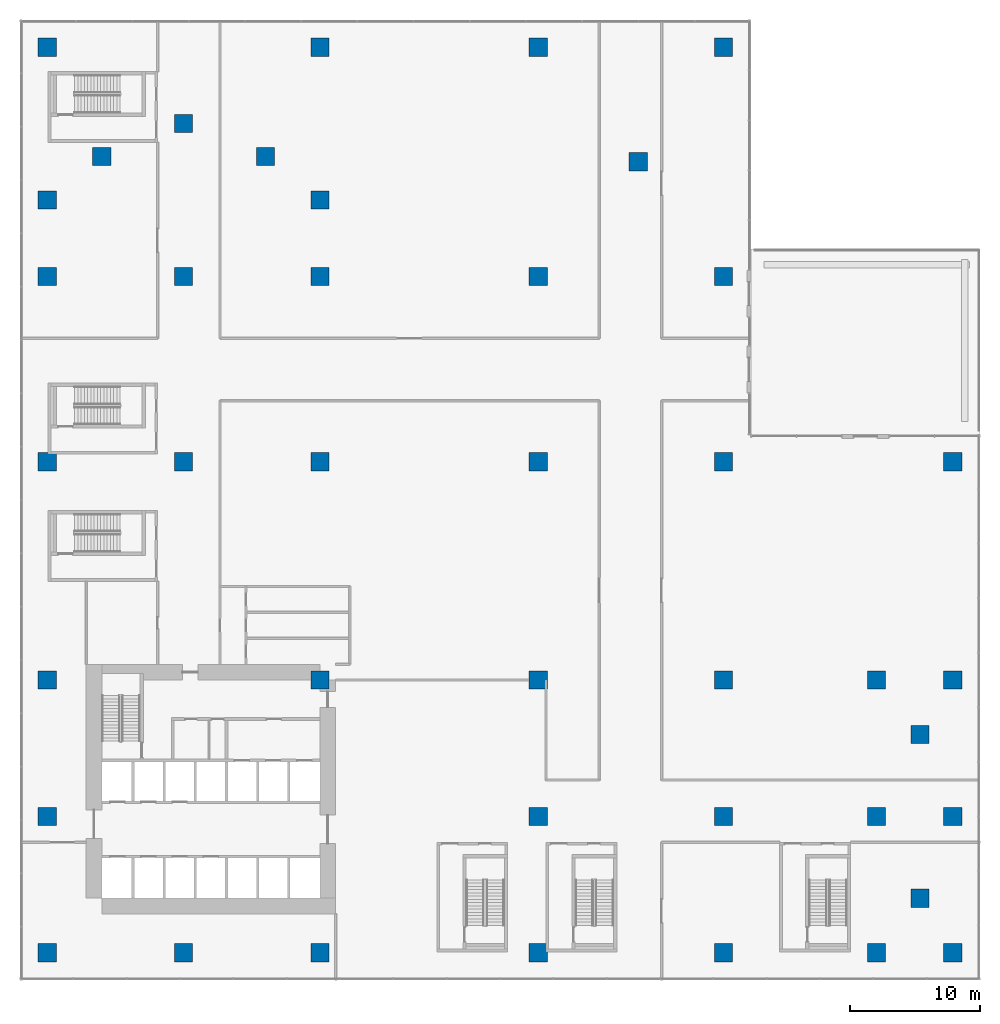
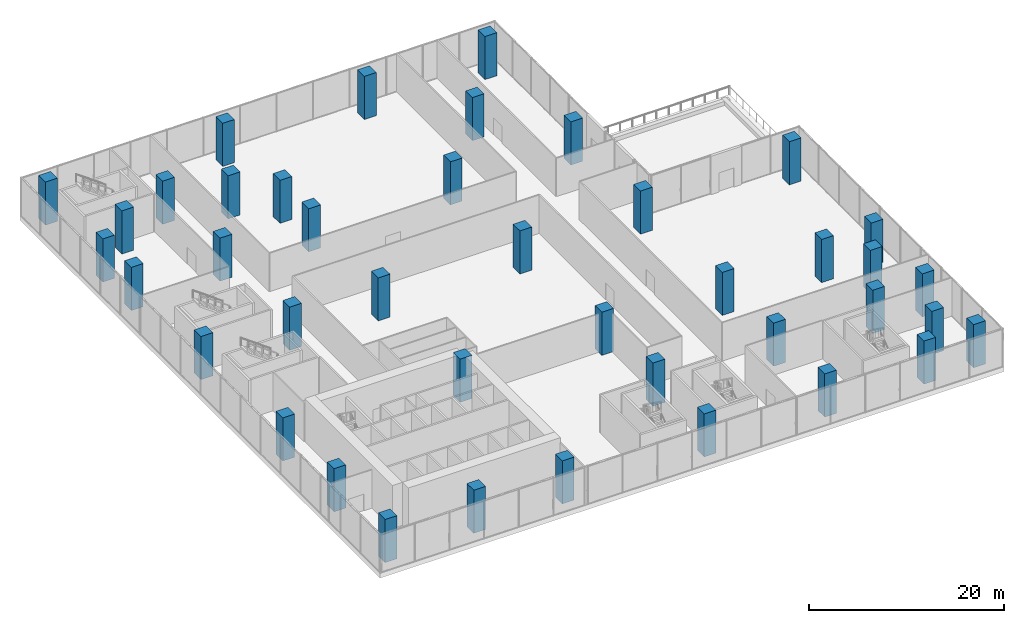
# One storey, part 1 of 23: 41 columns.
"""IFC4 building model written with IfcOpenShell, lengths in metres."""

from ifc_helpers import new_model, si_unit, direction, frame, origin, origin_2d, place, context, subcontext, project, spatial, rectangle, extrude, source, transform, mapped, material, material_profile, profile_set, type_object, element, save


model = new_model("IFC4")

# Units and contexts
model_context = context("Model", 3, precision=1e-05, world=origin(), true_north=direction((0.0, 1.0)))
body_context = subcontext(model_context, "Body", "Model", "MODEL_VIEW")
ifc_project = project(units=[si_unit("LENGTHUNIT", "METRE"), si_unit("AREAUNIT", "SQUARE_METRE"), si_unit("VOLUMEUNIT", "CUBIC_METRE"), si_unit("PLANEANGLEUNIT", "RADIAN"), si_unit("MASSUNIT", "GRAM", prefix="KILO")], contexts=[model_context])

# Site, building, storey
site_placement = place(None, origin())
site = spatial("IfcSite", under=ifc_project, at=site_placement, CompositionType="ELEMENT")
building_placement = place(site_placement, origin())
building = spatial("IfcBuilding", under=site, at=building_placement, Name="Aurelian Terraces", CompositionType="ELEMENT")
storey_placement = place(building_placement, frame((0.0, 0.0, 23.7)))
storey = spatial("IfcBuildingStorey", under=building, at=storey_placement, Name="L04", CompositionType="ELEMENT", Elevation=23.7)

# Columns
ifc_material = material(Name="Concrete fc' 83 MPa", Category="concrete")
ifc_material_profile = material_profile(ifc_material, rectangle(XDim=1.4, YDim=1.4, at=origin_2d()))
ifc_profile_set = profile_set([ifc_material_profile], Name="Concrete fc' 83 MPa")
column_type = type_object("IfcColumnType", Name="RC COLUMN 1400X1400 FC83", PredefinedType="COLUMN", material=ifc_profile_set)
shared_shape = source(origin(), body_context, "Body", "SweptSolid", [
    extrude(rectangle(XDim=1.4, YDim=1.4, at=origin_2d()), origin(), (0.0, 0.0, 1.0), 5.4),
])
for number, where, z_axis, x_axis, name in (
    (1, (0.0, 0.0, 0.0), (0.0, 0.0, 1.0), (1.0, 0.0, 0.0), "Column 1/A L04"),
    (2, (0.0, 10.5, 0.0), (0.0, 0.0, 1.0), (1.0, 0.0, 0.0), "Column 1/B L04"),
    (3, (0.0, 21.0, 0.0), (0.0, 0.0, 1.0), (1.0, 0.0, 0.0), "Column 1/C L04"),
    (4, (0.0, 37.8, 0.0), (0.0, 0.0, 1.0), (1.0, 0.0, 0.0), "Column 1/E L04"),
    (5, (0.0, 52.08, 0.0), (0.0, 0.0, 1.0), (1.0, 0.0, 0.0), "Column 1/G L04"),
    (6, (0.0, 57.96, 0.0), (0.0, 0.0, 1.0), (1.0, 0.0, 0.0), "Column 1/H L04"),
    (7, (0.0, 69.72, 0.0), (0.0, 0.0, 1.0), (1.0, 0.0, 0.0), "Column 1/J L04"),
    (8, (4.2, 61.32, 0.0), (0.0, 0.0, 1.0), (1.0, 0.0, 0.0), "Column 4.20/61.32 L04"),
    (9, (10.5, 0.0, 0.0), (0.0, 0.0, 1.0), (1.0, 0.0, 0.0), "Column 2/A L04"),
    (10, (10.5, 37.8, 0.0), (0.0, 0.0, 1.0), (1.0, 0.0, 0.0), "Column 2/E L04"),
    (11, (10.5, 52.08, 0.0), (0.0, 0.0, 1.0), (1.0, 0.0, 0.0), "Column 2/G L04"),
    (12, (10.5, 63.84, 0.0), (0.0, 0.0, 1.0), (1.0, 0.0, 0.0), "Column 2/I L04"),
    (13, (16.8, 61.32, 0.0), (0.0, 0.0, 1.0), (1.0, 0.0, 0.0), "Column 16.80/61.32 L04"),
    (14, (21.0, 0.0, 0.0), (0.0, 0.0, 1.0), (1.0, 0.0, 0.0), "Column 3/A L04"),
    (15, (21.0, 21.0, 0.0), (0.0, 0.0, 1.0), (1.0, 0.0, 0.0), "Column 3/C L04"),
    (16, (21.0, 37.8, 0.0), (0.0, 0.0, 1.0), (1.0, 0.0, 0.0), "Column 3/E L04"),
    (17, (21.0, 52.08, 0.0), (0.0, 0.0, 1.0), (1.0, 0.0, 0.0), "Column 3/G L04"),
    (18, (21.0, 57.96, 0.0), (0.0, 0.0, 1.0), (1.0, 0.0, 0.0), "Column 3/H L04"),
    (19, (21.0, 69.72, 0.0), (0.0, 0.0, 1.0), (1.0, 0.0, 0.0), "Column 3/J L04"),
    (20, (37.8, 0.0, 0.0), (0.0, 0.0, 1.0), (1.0, 0.0, 0.0), "Column 5/A L04"),
    (21, (37.8, 10.5, 0.0), (0.0, 0.0, 1.0), (1.0, 0.0, 0.0), "Column 5/B L04"),
    (22, (37.8, 21.0, 0.0), (0.0, 0.0, 1.0), (1.0, 0.0, 0.0), "Column 5/C L04"),
    (23, (37.8, 37.8, 0.0), (0.0, 0.0, 1.0), (1.0, 0.0, 0.0), "Column 5/E L04"),
    (24, (37.8, 52.08, 0.0), (0.0, 0.0, 1.0), (1.0, 0.0, 0.0), "Column 5/G L04"),
    (25, (37.8, 69.72, 0.0), (0.0, 0.0, 1.0), (1.0, 0.0, 0.0), "Column 5/J L04"),
    (26, (45.5, 60.9, 0.0), (0.0, 0.0, 1.0), (1.0, 0.0, 0.0), "Column 45.50/60.90 L04"),
    (27, (52.08, 0.0, 0.0), (0.0, 0.0, 1.0), (1.0, 0.0, 0.0), "Column 7/A L04"),
    (28, (52.08, 10.5, 0.0), (0.0, 0.0, 1.0), (1.0, 0.0, 0.0), "Column 7/B L04"),
    (29, (52.08, 21.0, 0.0), (0.0, 0.0, 1.0), (1.0, 0.0, 0.0), "Column 7/C L04"),
    (30, (52.08, 37.8, 0.0), (0.0, 0.0, 1.0), (1.0, 0.0, 0.0), "Column 7/E L04"),
    (31, (52.08, 52.08, 0.0), (0.0, 0.0, 1.0), (1.0, 0.0, 0.0), "Column 7/G L04"),
    (32, (52.08, 69.72, 0.0), (0.0, 0.0, 1.0), (1.0, 0.0, 0.0), "Column 7/J L04"),
    (33, (63.84, 0.0, 0.0), (0.0, 0.0, 1.0), (1.0, 0.0, 0.0), "Column 9/A L04"),
    (34, (63.84, 10.5, 0.0), (0.0, 0.0, 1.0), (1.0, 0.0, 0.0), "Column 9/B L04"),
    (35, (63.84, 21.0, 0.0), (0.0, 0.0, 1.0), (1.0, 0.0, 0.0), "Column 9/C L04"),
    (36, (67.2, 4.2, 0.0), (0.0, 0.0, 1.0), (1.0, 0.0, 0.0), "Column 67.20/4.20 L04"),
    (37, (67.2, 16.8, 0.0), (0.0, 0.0, 1.0), (1.0, 0.0, 0.0), "Column 67.20/16.80 L04"),
    (38, (69.72, 0.0, 0.0), (0.0, 0.0, 1.0), (1.0, 0.0, 0.0), "Column 10/A L04"),
    (39, (69.72, 10.5, 0.0), (0.0, 0.0, 1.0), (1.0, 0.0, 0.0), "Column 10/B L04"),
    (40, (69.72, 21.0, 0.0), (0.0, 0.0, 1.0), (1.0, 0.0, 0.0), "Column 10/C L04"),
    (41, (69.72, 37.8, 0.0), (0.0, 0.0, 1.0), (1.0, 0.0, 0.0), "Column 10/E L04"),
):
    element("IfcColumn", number, at=place(storey_placement, frame(where, z_axis=z_axis, x_axis=x_axis)), inside=storey, type_object=column_type, Name=name, PredefinedType="COLUMN", context=body_context, shape_type="MappedRepresentation", body=[
        mapped(shared_shape, transform((0.0, 0.0, 0.0), scale=1.0)),
    ])

save(model, "model.ifc")
